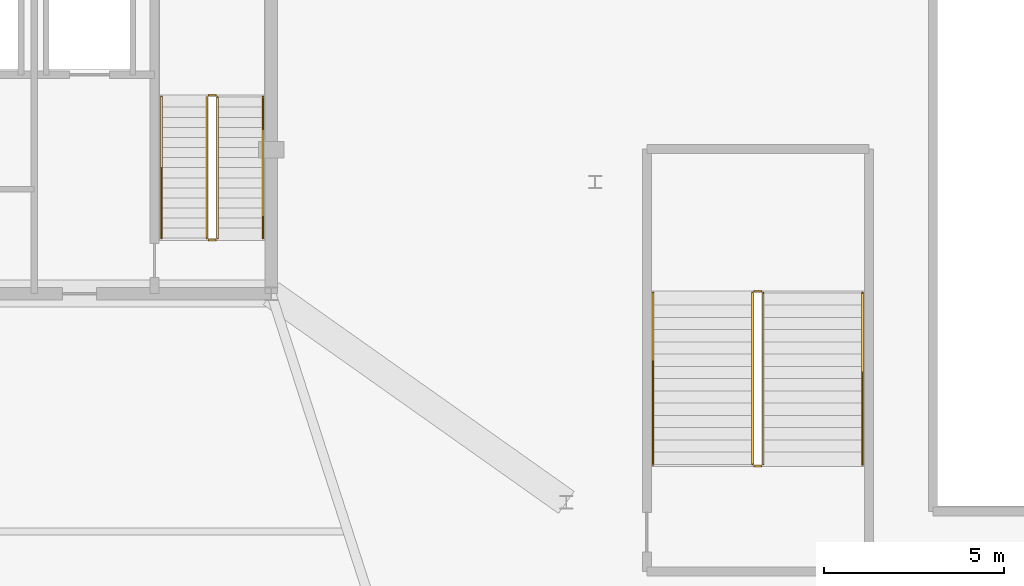
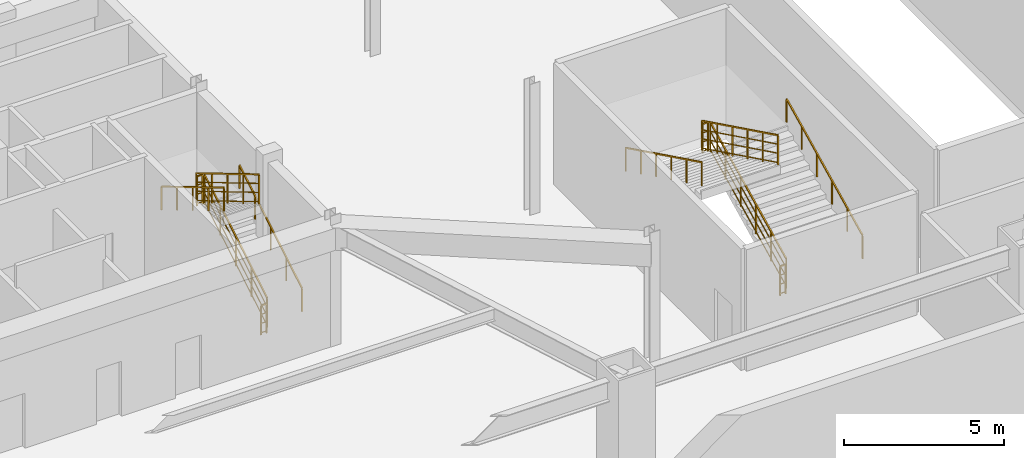
# One storey, part 9 of 9: 12 railings.
"""IFC4 building model written with IfcOpenShell, lengths in metres."""

from ifc_helpers import new_model, si_unit, direction, frame, origin, origin_2d, place, context, subcontext, project, spatial, rectangle, extrude, material, type_object, element, save


model = new_model("IFC4")

# Units and contexts
model_context = context("Model", 3, precision=1e-05, world=origin(), true_north=direction((0.0, 1.0)))
body_context = subcontext(model_context, "Body", "Model", "MODEL_VIEW")
ifc_project = project(units=[si_unit("LENGTHUNIT", "METRE"), si_unit("AREAUNIT", "SQUARE_METRE"), si_unit("VOLUMEUNIT", "CUBIC_METRE"), si_unit("PLANEANGLEUNIT", "RADIAN"), si_unit("MASSUNIT", "GRAM", prefix="KILO")], contexts=[model_context])

# Site, building, storey
site_placement = place(None, origin())
site = spatial("IfcSite", under=ifc_project, at=site_placement, CompositionType="ELEMENT")
building_placement = place(site_placement, origin())
building = spatial("IfcBuilding", under=site, at=building_placement, Name="Varakhsha Concourse Tower", CompositionType="ELEMENT")
storey_placement = place(building_placement, frame((0.0, 0.0, -5.0)))
storey = spatial("IfcBuildingStorey", under=building, at=storey_placement, Name="B01", CompositionType="ELEMENT", Elevation=-5.0)

# Railings
ifc_material = material(Name="Brushed Austenitic Stainless Steel AISI 316", Category="steel")
railing_type_1 = type_object("IfcRailingType", Name="RL-STAIR-GUARD-1100", PredefinedType="GUARDRAIL", material=ifc_material)
railing_1_placement = place(storey_placement, frame((46.7099609375, 17.93994140625, 0.166748046875)))
element("IfcRailing", 1, at=railing_1_placement, inside=storey, type_object=railing_type_1, Name="B01 ST2 stair guard 1", PredefinedType="GUARDRAIL", context=body_context, shape_type="SweptSolid", body=[
    extrude(rectangle(XDim=0.048095703125, YDim=0.048095703125, at=origin_2d()), frame((0.0, 0.0, 1.1259765625), z_axis=(0.0, 0.859310244771, 0.511454693235), x_axis=(-1.0, 0.0, 0.0)), (0.0, 0.0, 1.0), 4.56201171875),
    extrude(rectangle(XDim=0.028076171875, YDim=0.028076171875, at=origin_2d()), frame((0.0, 0.0, 0.080078125), z_axis=(0.0, 0.859310244771, 0.511454693235), x_axis=(-1.0, 0.0, 0.0)), (0.0, 0.0, 1.0), 4.56201171875),
    extrude(rectangle(XDim=0.028076171875, YDim=0.028076171875, at=origin_2d()), frame((0.0, 0.0, 0.43701171875), z_axis=(0.0, 0.859310244771, 0.511454693235), x_axis=(-1.0, 0.0, 0.0)), (0.0, 0.0, 1.0), 4.56201171875),
    extrude(rectangle(XDim=0.028076171875, YDim=0.028076171875, at=origin_2d()), frame((0.0, 0.0, 0.781982421875), z_axis=(0.0, 0.859310244771, 0.511454693235), x_axis=(-1.0, 0.0, 0.0)), (0.0, 0.0, 1.0), 4.56201171875),
    extrude(rectangle(XDim=0.0419921875, YDim=0.0419921875, at=origin_2d()), origin(), (0.0, 0.0, 1.0), 1.101806640625),
    extrude(rectangle(XDim=0.0419921875, YDim=0.0419921875, at=origin_2d()), frame((0.0, 0.97998046875, 0.583251953125)), (0.0, 0.0, 1.0), 1.101806640625),
    extrude(rectangle(XDim=0.0419921875, YDim=0.0419921875, at=origin_2d()), frame((0.0, 1.9599609375, 1.16650390625)), (0.0, 0.0, 1.0), 1.101806640625),
    extrude(rectangle(XDim=0.0419921875, YDim=0.0419921875, at=origin_2d()), frame((0.0, 2.940185546875, 1.75)), (0.0, 0.0, 1.0), 1.101806640625),
    extrude(rectangle(XDim=0.0419921875, YDim=0.0419921875, at=origin_2d()), frame((0.0, 3.920166015625, 2.333251953125)), (0.0, 0.0, 1.0), 1.101806640625),
])
railing_2_placement = place(storey_placement, frame((46.659912109375, 21.909912109375, 2.5)))
element("IfcRailing", 2, at=railing_2_placement, inside=storey, type_object=railing_type_1, Name="B01 ST2 stair guard 2", PredefinedType="GUARDRAIL", context=body_context, shape_type="SweptSolid", body=[
    extrude(rectangle(XDim=0.048095703125, YDim=0.048095703125, at=origin_2d()), frame((0.0, 0.0, 1.1259765625), z_axis=(-1.0, 0.0, 0.0), x_axis=(0.0, -1.0, 0.0)), (0.0, 0.0, 1.0), 0.199951171875),
    extrude(rectangle(XDim=0.028076171875, YDim=0.028076171875, at=origin_2d()), frame((0.0, 0.0, 0.080078125), z_axis=(-1.0, 0.0, 0.0), x_axis=(0.0, -1.0, 0.0)), (0.0, 0.0, 1.0), 0.199951171875),
    extrude(rectangle(XDim=0.028076171875, YDim=0.028076171875, at=origin_2d()), frame((0.0, 0.0, 0.43701171875), z_axis=(-1.0, 0.0, 0.0), x_axis=(0.0, -1.0, 0.0)), (0.0, 0.0, 1.0), 0.199951171875),
    extrude(rectangle(XDim=0.028076171875, YDim=0.028076171875, at=origin_2d()), frame((0.0, 0.0, 0.781982421875), z_axis=(-1.0, 0.0, 0.0), x_axis=(0.0, -1.0, 0.0)), (0.0, 0.0, 1.0), 0.199951171875),
    extrude(rectangle(XDim=0.0419921875, YDim=0.0419921875, at=origin_2d()), origin(), (0.0, 0.0, 1.0), 1.101806640625),
    extrude(rectangle(XDim=0.0419921875, YDim=0.0419921875, at=origin_2d()), frame((-0.199951171875, 0.0, 0.0)), (0.0, 0.0, 1.0), 1.101806640625),
])
railing_3_placement = place(storey_placement, frame((46.409912109375, 21.860107421875, 2.666748046875)))
element("IfcRailing", 3, at=railing_3_placement, inside=storey, type_object=railing_type_1, Name="B01 ST2 stair guard 3", PredefinedType="GUARDRAIL", context=body_context, shape_type="SweptSolid", body=[
    extrude(rectangle(XDim=0.048095703125, YDim=0.048095703125, at=origin_2d()), frame((0.0, 0.0, 1.1259765625), z_axis=(0.0, -0.859310244771, 0.511454693235), x_axis=(1.0, 0.0, 0.0)), (0.0, 0.0, 1.0), 4.56201171875),
    extrude(rectangle(XDim=0.028076171875, YDim=0.028076171875, at=origin_2d()), frame((0.0, 0.0, 0.080078125), z_axis=(0.0, -0.859310244771, 0.511454693235), x_axis=(1.0, 0.0, 0.0)), (0.0, 0.0, 1.0), 4.56201171875),
    extrude(rectangle(XDim=0.028076171875, YDim=0.028076171875, at=origin_2d()), frame((0.0, 0.0, 0.43701171875), z_axis=(0.0, -0.859310244771, 0.511454693235), x_axis=(1.0, 0.0, 0.0)), (0.0, 0.0, 1.0), 4.56201171875),
    extrude(rectangle(XDim=0.028076171875, YDim=0.028076171875, at=origin_2d()), frame((0.0, 0.0, 0.781982421875), z_axis=(0.0, -0.859310244771, 0.511454693235), x_axis=(1.0, 0.0, 0.0)), (0.0, 0.0, 1.0), 4.56201171875),
    extrude(rectangle(XDim=0.0419921875, YDim=0.0419921875, at=origin_2d()), origin(), (0.0, 0.0, 1.0), 1.101806640625),
    extrude(rectangle(XDim=0.0419921875, YDim=0.0419921875, at=origin_2d()), frame((0.0, -0.97998046875, 0.583251953125)), (0.0, 0.0, 1.0), 1.101806640625),
    extrude(rectangle(XDim=0.0419921875, YDim=0.0419921875, at=origin_2d()), frame((0.0, -1.9599609375, 1.16650390625)), (0.0, 0.0, 1.0), 1.101806640625),
    extrude(rectangle(XDim=0.0419921875, YDim=0.0419921875, at=origin_2d()), frame((0.0, -2.940185546875, 1.75)), (0.0, 0.0, 1.0), 1.101806640625),
    extrude(rectangle(XDim=0.0419921875, YDim=0.0419921875, at=origin_2d()), frame((0.0, -3.920166015625, 2.333251953125)), (0.0, 0.0, 1.0), 1.101806640625),
])
railing_4_placement = place(storey_placement, frame((46.659912109375, 17.889892578125, 0.0)))
element("IfcRailing", 4, at=railing_4_placement, inside=storey, type_object=railing_type_1, Name="B01 ST2 stair guard 4", PredefinedType="GUARDRAIL", context=body_context, shape_type="SweptSolid", body=[
    extrude(rectangle(XDim=0.048095703125, YDim=0.048095703125, at=origin_2d()), frame((0.0, 0.0, 1.1259765625), z_axis=(-1.0, 0.0, 0.0), x_axis=(0.0, -1.0, 0.0)), (0.0, 0.0, 1.0), 0.199951171875),
    extrude(rectangle(XDim=0.028076171875, YDim=0.028076171875, at=origin_2d()), frame((0.0, 0.0, 0.080078125), z_axis=(-1.0, 0.0, 0.0), x_axis=(0.0, -1.0, 0.0)), (0.0, 0.0, 1.0), 0.199951171875),
    extrude(rectangle(XDim=0.028076171875, YDim=0.028076171875, at=origin_2d()), frame((0.0, 0.0, 0.43701171875), z_axis=(-1.0, 0.0, 0.0), x_axis=(0.0, -1.0, 0.0)), (0.0, 0.0, 1.0), 0.199951171875),
    extrude(rectangle(XDim=0.028076171875, YDim=0.028076171875, at=origin_2d()), frame((0.0, 0.0, 0.781982421875), z_axis=(-1.0, 0.0, 0.0), x_axis=(0.0, -1.0, 0.0)), (0.0, 0.0, 1.0), 0.199951171875),
    extrude(rectangle(XDim=0.0419921875, YDim=0.0419921875, at=origin_2d()), origin(), (0.0, 0.0, 1.0), 1.101806640625),
    extrude(rectangle(XDim=0.0419921875, YDim=0.0419921875, at=origin_2d()), frame((-0.199951171875, 0.0, 0.0)), (0.0, 0.0, 1.0), 1.101806640625),
])
railing_5_placement = place(storey_placement, frame((61.8701171875, 11.659912109375, 0.166748046875)))
element("IfcRailing", 5, at=railing_5_placement, inside=storey, type_object=railing_type_1, Name="B01 ST4 stair guard 1", PredefinedType="GUARDRAIL", context=body_context, shape_type="SweptSolid", body=[
    extrude(rectangle(XDim=0.048095703125, YDim=0.048095703125, at=origin_2d()), frame((0.0, 0.0, 1.1259765625), z_axis=(0.0, 0.897927146867, 0.440144111535), x_axis=(-1.0, 0.0, 0.0)), (0.0, 0.0, 1.0), 5.301025390625),
    extrude(rectangle(XDim=0.028076171875, YDim=0.028076171875, at=origin_2d()), frame((0.0, 0.0, 0.080078125), z_axis=(0.0, 0.897927146867, 0.440144111535), x_axis=(-1.0, 0.0, 0.0)), (0.0, 0.0, 1.0), 5.301025390625),
    extrude(rectangle(XDim=0.028076171875, YDim=0.028076171875, at=origin_2d()), frame((0.0, 0.0, 0.43701171875), z_axis=(0.0, 0.897927146867, 0.440144111535), x_axis=(-1.0, 0.0, 0.0)), (0.0, 0.0, 1.0), 5.301025390625),
    extrude(rectangle(XDim=0.028076171875, YDim=0.028076171875, at=origin_2d()), frame((0.0, 0.0, 0.781982421875), z_axis=(0.0, 0.897927146867, 0.440144111535), x_axis=(-1.0, 0.0, 0.0)), (0.0, 0.0, 1.0), 5.301025390625),
    extrude(rectangle(XDim=0.0419921875, YDim=0.0419921875, at=origin_2d()), origin(), (0.0, 0.0, 1.0), 1.101806640625),
    extrude(rectangle(XDim=0.0419921875, YDim=0.0419921875, at=origin_2d()), frame((0.0, 0.951904296875, 0.466552734375)), (0.0, 0.0, 1.0), 1.101806640625),
    extrude(rectangle(XDim=0.0419921875, YDim=0.0419921875, at=origin_2d()), frame((0.0, 1.904052734375, 0.933349609375)), (0.0, 0.0, 1.0), 1.101806640625),
    extrude(rectangle(XDim=0.0419921875, YDim=0.0419921875, at=origin_2d()), frame((0.0, 2.85595703125, 1.39990234375)), (0.0, 0.0, 1.0), 1.101806640625),
    extrude(rectangle(XDim=0.0419921875, YDim=0.0419921875, at=origin_2d()), frame((0.0, 3.80810546875, 1.86669921875)), (0.0, 0.0, 1.0), 1.101806640625),
    extrude(rectangle(XDim=0.0419921875, YDim=0.0419921875, at=origin_2d()), frame((0.0, 4.760009765625, 2.333251953125)), (0.0, 0.0, 1.0), 1.101806640625),
])
railing_6_placement = place(storey_placement, frame((61.820068359375, 16.469970703125, 2.5)))
element("IfcRailing", 6, at=railing_6_placement, inside=storey, type_object=railing_type_1, Name="B01 ST4 stair guard 2", PredefinedType="GUARDRAIL", context=body_context, shape_type="SweptSolid", body=[
    extrude(rectangle(XDim=0.048095703125, YDim=0.048095703125, at=origin_2d()), frame((0.0, 0.0, 1.1259765625), z_axis=(-1.0, 0.0, 0.0), x_axis=(0.0, -1.0, 0.0)), (0.0, 0.0, 1.0), 0.199951171875),
    extrude(rectangle(XDim=0.028076171875, YDim=0.028076171875, at=origin_2d()), frame((0.0, 0.0, 0.080078125), z_axis=(-1.0, 0.0, 0.0), x_axis=(0.0, -1.0, 0.0)), (0.0, 0.0, 1.0), 0.199951171875),
    extrude(rectangle(XDim=0.028076171875, YDim=0.028076171875, at=origin_2d()), frame((0.0, 0.0, 0.43701171875), z_axis=(-1.0, 0.0, 0.0), x_axis=(0.0, -1.0, 0.0)), (0.0, 0.0, 1.0), 0.199951171875),
    extrude(rectangle(XDim=0.028076171875, YDim=0.028076171875, at=origin_2d()), frame((0.0, 0.0, 0.781982421875), z_axis=(-1.0, 0.0, 0.0), x_axis=(0.0, -1.0, 0.0)), (0.0, 0.0, 1.0), 0.199951171875),
    extrude(rectangle(XDim=0.0419921875, YDim=0.0419921875, at=origin_2d()), origin(), (0.0, 0.0, 1.0), 1.101806640625),
    extrude(rectangle(XDim=0.0419921875, YDim=0.0419921875, at=origin_2d()), frame((-0.199951171875, 0.0, 0.0)), (0.0, 0.0, 1.0), 1.101806640625),
])
railing_7_placement = place(storey_placement, frame((61.570068359375, 16.419921875, 2.666748046875)))
element("IfcRailing", 7, at=railing_7_placement, inside=storey, type_object=railing_type_1, Name="B01 ST4 stair guard 3", PredefinedType="GUARDRAIL", context=body_context, shape_type="SweptSolid", body=[
    extrude(rectangle(XDim=0.048095703125, YDim=0.048095703125, at=origin_2d()), frame((0.0, 0.0, 1.1259765625), z_axis=(0.0, -0.897927146867, 0.440144111535), x_axis=(1.0, 0.0, 0.0)), (0.0, 0.0, 1.0), 5.301025390625),
    extrude(rectangle(XDim=0.028076171875, YDim=0.028076171875, at=origin_2d()), frame((0.0, 0.0, 0.080078125), z_axis=(0.0, -0.897927146867, 0.440144111535), x_axis=(1.0, 0.0, 0.0)), (0.0, 0.0, 1.0), 5.301025390625),
    extrude(rectangle(XDim=0.028076171875, YDim=0.028076171875, at=origin_2d()), frame((0.0, 0.0, 0.43701171875), z_axis=(0.0, -0.897927146867, 0.440144111535), x_axis=(1.0, 0.0, 0.0)), (0.0, 0.0, 1.0), 5.301025390625),
    extrude(rectangle(XDim=0.028076171875, YDim=0.028076171875, at=origin_2d()), frame((0.0, 0.0, 0.781982421875), z_axis=(0.0, -0.897927146867, 0.440144111535), x_axis=(1.0, 0.0, 0.0)), (0.0, 0.0, 1.0), 5.301025390625),
    extrude(rectangle(XDim=0.0419921875, YDim=0.0419921875, at=origin_2d()), origin(), (0.0, 0.0, 1.0), 1.101806640625),
    extrude(rectangle(XDim=0.0419921875, YDim=0.0419921875, at=origin_2d()), frame((0.0, -0.951904296875, 0.466552734375)), (0.0, 0.0, 1.0), 1.101806640625),
    extrude(rectangle(XDim=0.0419921875, YDim=0.0419921875, at=origin_2d()), frame((0.0, -1.904052734375, 0.933349609375)), (0.0, 0.0, 1.0), 1.101806640625),
    extrude(rectangle(XDim=0.0419921875, YDim=0.0419921875, at=origin_2d()), frame((0.0, -2.85595703125, 1.39990234375)), (0.0, 0.0, 1.0), 1.101806640625),
    extrude(rectangle(XDim=0.0419921875, YDim=0.0419921875, at=origin_2d()), frame((0.0, -3.80810546875, 1.86669921875)), (0.0, 0.0, 1.0), 1.101806640625),
    extrude(rectangle(XDim=0.0419921875, YDim=0.0419921875, at=origin_2d()), frame((0.0, -4.760009765625, 2.333251953125)), (0.0, 0.0, 1.0), 1.101806640625),
])
railing_8_placement = place(storey_placement, frame((61.820068359375, 11.610107421875, 0.0)))
element("IfcRailing", 8, at=railing_8_placement, inside=storey, type_object=railing_type_1, Name="B01 ST4 stair guard 4", PredefinedType="GUARDRAIL", context=body_context, shape_type="SweptSolid", body=[
    extrude(rectangle(XDim=0.048095703125, YDim=0.048095703125, at=origin_2d()), frame((0.0, 0.0, 1.1259765625), z_axis=(-1.0, 0.0, 0.0), x_axis=(0.0, -1.0, 0.0)), (0.0, 0.0, 1.0), 0.199951171875),
    extrude(rectangle(XDim=0.028076171875, YDim=0.028076171875, at=origin_2d()), frame((0.0, 0.0, 0.080078125), z_axis=(-1.0, 0.0, 0.0), x_axis=(0.0, -1.0, 0.0)), (0.0, 0.0, 1.0), 0.199951171875),
    extrude(rectangle(XDim=0.028076171875, YDim=0.028076171875, at=origin_2d()), frame((0.0, 0.0, 0.43701171875), z_axis=(-1.0, 0.0, 0.0), x_axis=(0.0, -1.0, 0.0)), (0.0, 0.0, 1.0), 0.199951171875),
    extrude(rectangle(XDim=0.028076171875, YDim=0.028076171875, at=origin_2d()), frame((0.0, 0.0, 0.781982421875), z_axis=(-1.0, 0.0, 0.0), x_axis=(0.0, -1.0, 0.0)), (0.0, 0.0, 1.0), 0.199951171875),
    extrude(rectangle(XDim=0.0419921875, YDim=0.0419921875, at=origin_2d()), origin(), (0.0, 0.0, 1.0), 1.101806640625),
    extrude(rectangle(XDim=0.0419921875, YDim=0.0419921875, at=origin_2d()), frame((-0.199951171875, 0.0, 0.0)), (0.0, 0.0, 1.0), 1.101806640625),
])
railing_type_2 = type_object("IfcRailingType", Name="RL-STAIR-RAIL-915", PredefinedType="HANDRAIL", material=ifc_material)
railing_9_placement = place(storey_placement, frame((47.969970703125, 17.93994140625, 0.333251953125)))
element("IfcRailing", 9, at=railing_9_placement, inside=storey, type_object=railing_type_2, Name="B01 ST2 stair handrail 1", PredefinedType="HANDRAIL", context=body_context, shape_type="SweptSolid", body=[
    extrude(rectangle(XDim=0.048095703125, YDim=0.048095703125, at=origin_2d()), frame((0.0, 0.0, 0.89111328125), z_axis=(0.0, 0.859286724212, 0.511494208758), x_axis=(-1.0, 0.0, 0.0)), (0.0, 0.0, 1.0), 4.56201171875),
    extrude(rectangle(XDim=0.0419921875, YDim=0.0419921875, at=origin_2d()), origin(), (0.0, 0.0, 1.0), 0.866943359375),
    extrude(rectangle(XDim=0.0419921875, YDim=0.0419921875, at=origin_2d()), frame((0.0, 0.97998046875, 0.58349609375)), (0.0, 0.0, 1.0), 0.866943359375),
    extrude(rectangle(XDim=0.0419921875, YDim=0.0419921875, at=origin_2d()), frame((0.0, 1.9599609375, 1.166748046875)), (0.0, 0.0, 1.0), 0.866943359375),
    extrude(rectangle(XDim=0.0419921875, YDim=0.0419921875, at=origin_2d()), frame((0.0, 2.940185546875, 1.75)), (0.0, 0.0, 1.0), 0.866943359375),
    extrude(rectangle(XDim=0.0419921875, YDim=0.0419921875, at=origin_2d()), frame((0.0, 3.920166015625, 2.33349609375)), (0.0, 0.0, 1.0), 0.866943359375),
])
railing_10_placement = place(storey_placement, frame((45.14990234375, 21.860107421875, 2.833251953125)))
element("IfcRailing", 10, at=railing_10_placement, inside=storey, type_object=railing_type_2, Name="B01 ST2 stair handrail 2", PredefinedType="HANDRAIL", context=body_context, shape_type="SweptSolid", body=[
    extrude(rectangle(XDim=0.048095703125, YDim=0.048095703125, at=origin_2d()), frame((0.0, 0.0, 0.89111328125), z_axis=(0.0, -0.859286724212, 0.511494208758), x_axis=(1.0, 0.0, 0.0)), (0.0, 0.0, 1.0), 4.56201171875),
    extrude(rectangle(XDim=0.0419921875, YDim=0.0419921875, at=origin_2d()), origin(), (0.0, 0.0, 1.0), 0.866943359375),
    extrude(rectangle(XDim=0.0419921875, YDim=0.0419921875, at=origin_2d()), frame((0.0, -0.97998046875, 0.58349609375)), (0.0, 0.0, 1.0), 0.866943359375),
    extrude(rectangle(XDim=0.0419921875, YDim=0.0419921875, at=origin_2d()), frame((0.0, -1.9599609375, 1.166748046875)), (0.0, 0.0, 1.0), 0.866943359375),
    extrude(rectangle(XDim=0.0419921875, YDim=0.0419921875, at=origin_2d()), frame((0.0, -2.940185546875, 1.75)), (0.0, 0.0, 1.0), 0.866943359375),
    extrude(rectangle(XDim=0.0419921875, YDim=0.0419921875, at=origin_2d()), frame((0.0, -3.920166015625, 2.33349609375)), (0.0, 0.0, 1.0), 0.866943359375),
])
railing_11_placement = place(storey_placement, frame((64.6298828125, 11.659912109375, 0.333251953125)))
element("IfcRailing", 11, at=railing_11_placement, inside=storey, type_object=railing_type_2, Name="B01 ST4 stair handrail 1", PredefinedType="HANDRAIL", context=body_context, shape_type="SweptSolid", body=[
    extrude(rectangle(XDim=0.048095703125, YDim=0.048095703125, at=origin_2d()), frame((0.0, 0.0, 0.89111328125), z_axis=(0.0, 0.897908944879, 0.44018124302), x_axis=(-1.0, 0.0, 0.0)), (0.0, 0.0, 1.0), 5.30126953125),
    extrude(rectangle(XDim=0.0419921875, YDim=0.0419921875, at=origin_2d()), origin(), (0.0, 0.0, 1.0), 0.866943359375),
    extrude(rectangle(XDim=0.0419921875, YDim=0.0419921875, at=origin_2d()), frame((0.0, 0.951904296875, 0.466796875)), (0.0, 0.0, 1.0), 0.866943359375),
    extrude(rectangle(XDim=0.0419921875, YDim=0.0419921875, at=origin_2d()), frame((0.0, 1.904052734375, 0.933349609375)), (0.0, 0.0, 1.0), 0.866943359375),
    extrude(rectangle(XDim=0.0419921875, YDim=0.0419921875, at=origin_2d()), frame((0.0, 2.85595703125, 1.400146484375)), (0.0, 0.0, 1.0), 0.866943359375),
    extrude(rectangle(XDim=0.0419921875, YDim=0.0419921875, at=origin_2d()), frame((0.0, 3.80810546875, 1.86669921875)), (0.0, 0.0, 1.0), 0.866943359375),
    extrude(rectangle(XDim=0.0419921875, YDim=0.0419921875, at=origin_2d()), frame((0.0, 4.760009765625, 2.33349609375)), (0.0, 0.0, 1.0), 0.866943359375),
])
railing_12_placement = place(storey_placement, frame((58.81005859375, 16.419921875, 2.833251953125)))
element("IfcRailing", 12, at=railing_12_placement, inside=storey, type_object=railing_type_2, Name="B01 ST4 stair handrail 2", PredefinedType="HANDRAIL", context=body_context, shape_type="SweptSolid", body=[
    extrude(rectangle(XDim=0.048095703125, YDim=0.048095703125, at=origin_2d()), frame((0.0, 0.0, 0.89111328125), z_axis=(0.0, -0.897908944879, 0.44018124302), x_axis=(1.0, 0.0, 0.0)), (0.0, 0.0, 1.0), 5.30126953125),
    extrude(rectangle(XDim=0.0419921875, YDim=0.0419921875, at=origin_2d()), origin(), (0.0, 0.0, 1.0), 0.866943359375),
    extrude(rectangle(XDim=0.0419921875, YDim=0.0419921875, at=origin_2d()), frame((0.0, -0.951904296875, 0.466796875)), (0.0, 0.0, 1.0), 0.866943359375),
    extrude(rectangle(XDim=0.0419921875, YDim=0.0419921875, at=origin_2d()), frame((0.0, -1.904052734375, 0.933349609375)), (0.0, 0.0, 1.0), 0.866943359375),
    extrude(rectangle(XDim=0.0419921875, YDim=0.0419921875, at=origin_2d()), frame((0.0, -2.85595703125, 1.400146484375)), (0.0, 0.0, 1.0), 0.866943359375),
    extrude(rectangle(XDim=0.0419921875, YDim=0.0419921875, at=origin_2d()), frame((0.0, -3.80810546875, 1.86669921875)), (0.0, 0.0, 1.0), 0.866943359375),
    extrude(rectangle(XDim=0.0419921875, YDim=0.0419921875, at=origin_2d()), frame((0.0, -4.760009765625, 2.33349609375)), (0.0, 0.0, 1.0), 0.866943359375),
])

save(model, "model.ifc")
